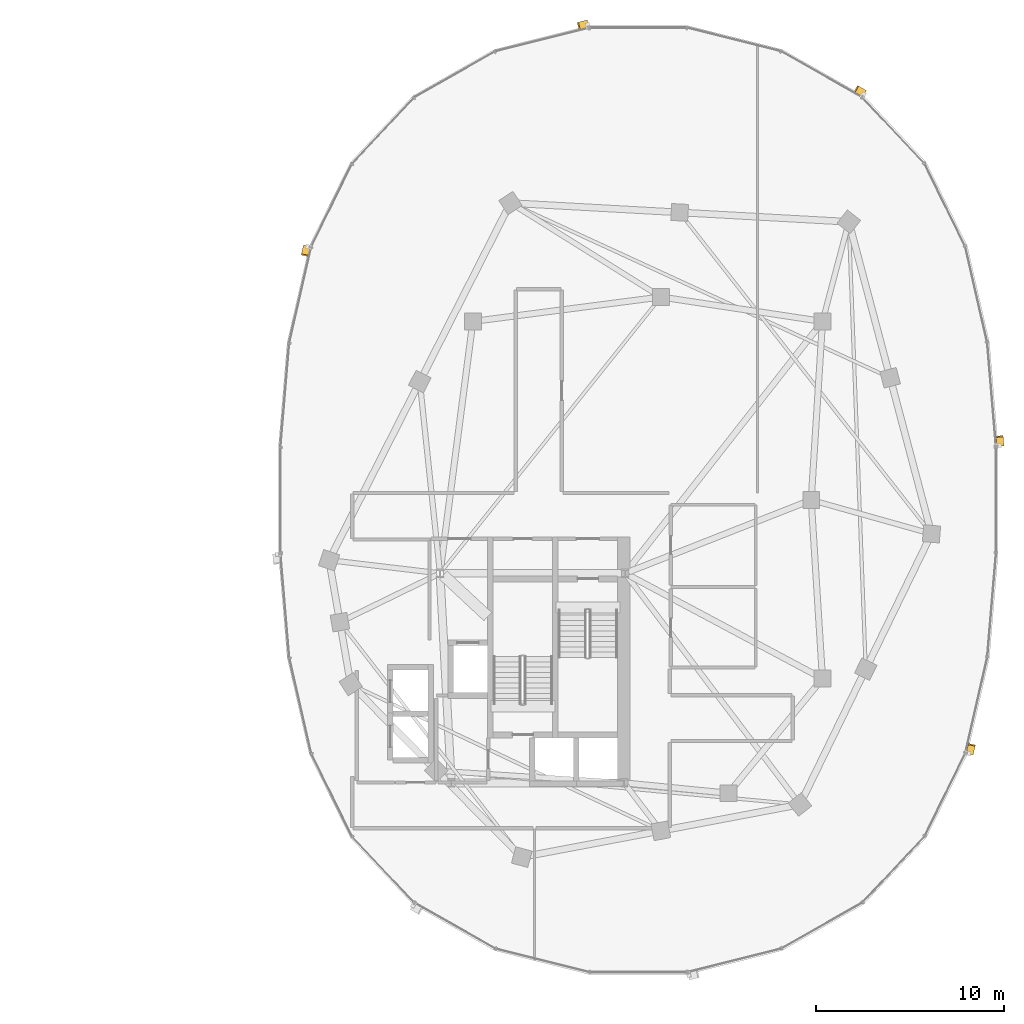
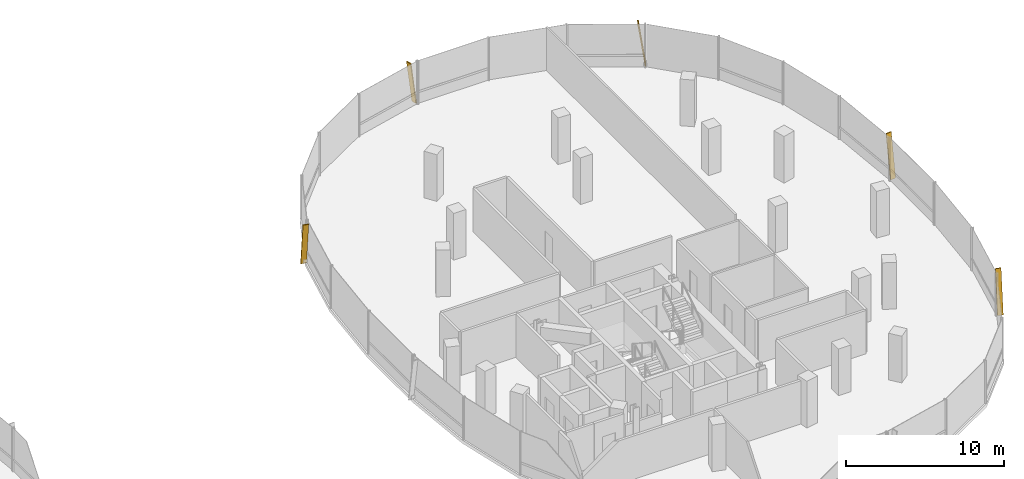
# One storey, part 24 of 24: 5 shading devices.
"""IFC4 building model written with IfcOpenShell, lengths in metres."""

from ifc_helpers import new_model, si_unit, direction, frame, origin, origin_2d, place, context, subcontext, project, spatial, rectangle, extrude, material, material_profile, profile_set, type_object, element, save


model = new_model("IFC4")

# Units and contexts
model_context = context("Model", 3, precision=1e-05, world=origin(), true_north=direction((0.0, 1.0)))
body_context = subcontext(model_context, "Body", "Model", "MODEL_VIEW")
ifc_project = project(units=[si_unit("LENGTHUNIT", "METRE"), si_unit("AREAUNIT", "SQUARE_METRE"), si_unit("VOLUMEUNIT", "CUBIC_METRE"), si_unit("PLANEANGLEUNIT", "RADIAN"), si_unit("MASSUNIT", "GRAM", prefix="KILO"), si_unit("THERMODYNAMICTEMPERATUREUNIT", "KELVIN"), si_unit("POWERUNIT", "WATT")], contexts=[model_context])

# Site, building, storey
site_placement = place(None, origin())
site = spatial("IfcSite", under=ifc_project, at=site_placement, CompositionType="ELEMENT")
building_placement = place(site_placement, origin())
building = spatial("IfcBuilding", under=site, at=building_placement, Name="Cundina Bronze Exchange", CompositionType="ELEMENT")
storey_placement = place(building_placement, frame((0.0, 0.0, 227.800048828125)))
storey = spatial("IfcBuildingStorey", under=building, at=storey_placement, Name="L60", CompositionType="ELEMENT", Elevation=227.800048828125)

# Shading devices
ifc_material = material(Name="Anodised Bronze Aluminium 6063-T6", Category="aluminium")
ifc_material_profile = material_profile(ifc_material, rectangle(XDim=0.070068359375, YDim=0.3798828125, at=origin_2d()), Name="FIN70X380", Category="aluminium")
ifc_profile_set = profile_set([ifc_material_profile], Name="Anodised Bronze Aluminium 6063-T6")
shading_device_type = type_object("IfcShadingDeviceType", Name="SHD-FIN-BRZ380", PredefinedType="USERDEFINED", material=ifc_profile_set)
for number, where, z_axis, x_axis, name in (
    (1, (51.264404296875, 2.90283203125, 0.02001953125), (-0.012006555776, 0.143419772964, 0.98958911238), (0.082555834947, -0.986139516224, 0.143921466983), "L60 Diagonal Bronze Solar Fin 1"),
    (2, (44.015625, 21.635498046875, 0.02001953125), (-0.125189514072, 0.071087145125, 0.989582843103), (0.860526986551, -0.488638423358, 0.143964567292), "L60 Diagonal Bronze Solar Fin 5"),
    (3, (29.294189453125, 25.344482421875, 0.02001953125), (-0.139611891367, -0.03514090606, 0.989582556693), (0.959650042543, 0.24154799183, 0.143966536007), "L60 Diagonal Bronze Solar Fin 1"),
    (4, (14.363037109375, 13.4931640625, 0.02001953125), (-0.032139238682, -0.140343782583, 0.989581068951), (0.220899412839, 0.964610875656, 0.14397676192), "L60 Diagonal Bronze Solar Fin 5"),
    (5, (49.636962890625, -13.4931640625, 0.02001953125), (0.032139238682, 0.140343782583, 0.989581068951), (-0.220899412839, -0.964610875656, 0.14397676192), "L60 Diagonal Bronze Solar Fin 5"),
):
    element("IfcShadingDevice", number, at=place(storey_placement, frame(where, z_axis=z_axis, x_axis=x_axis)), inside=storey, type_object=shading_device_type, Name=name, ObjectType="FIN", PredefinedType="USERDEFINED", context=body_context, shape_type="SweptSolid", body=[
        extrude(rectangle(XDim=0.070068359375, YDim=0.3798828125, at=origin_2d()), origin(), (0.0, 0.0, 1.0), 3.334716796875),
    ])

save(model, "model.ifc")
